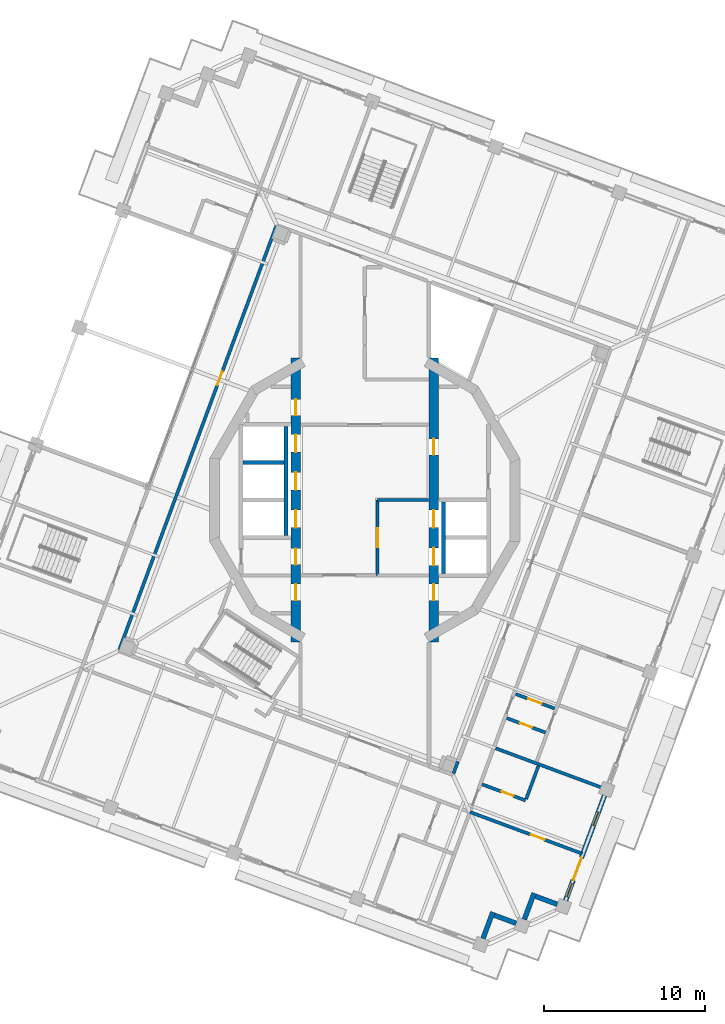
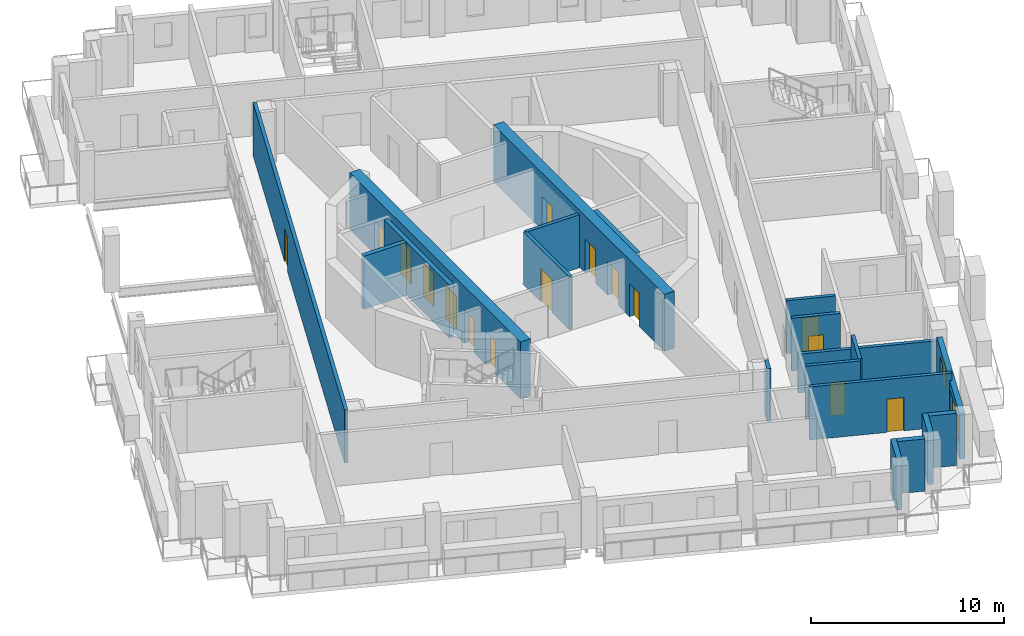
# One storey, part 9 of 20: 20 walls, 17 doors, 2 windows, 19 openings.
"""IFC4 building model written with IfcOpenShell, lengths in metres."""

from ifc_helpers import new_model, si_unit, direction, frame, frame_2d, origin, place, context, subcontext, project, spatial, rectangle, extrude, material, layer, layer_set, type_object, element, fill, save


model = new_model("IFC4")

# Units and contexts
model_context = context("Model", 3, precision=1e-05, world=origin(), true_north=direction((0.0, 1.0)))
body_context = subcontext(model_context, "Body", "Model", "MODEL_VIEW")
ifc_project = project(units=[si_unit("LENGTHUNIT", "METRE"), si_unit("AREAUNIT", "SQUARE_METRE"), si_unit("VOLUMEUNIT", "CUBIC_METRE"), si_unit("PLANEANGLEUNIT", "RADIAN"), si_unit("MASSUNIT", "GRAM", prefix="KILO")], contexts=[model_context])

# Site, building, storey
site_placement = place(None, origin())
site = spatial("IfcSite", under=ifc_project, at=site_placement, CompositionType="ELEMENT")
building_placement = place(site_placement, origin())
building = spatial("IfcBuilding", under=site, at=building_placement, Name="Cantera Rosa Tower", CompositionType="ELEMENT")
storey_placement = place(building_placement, frame((0.0, 0.0, 313.300048828125)))
storey = spatial("IfcBuildingStorey", under=building, at=storey_placement, Name="L69", CompositionType="ELEMENT", Elevation=313.300048828125)

# Wall, opening, door
ifc_material_1 = material(Name="Gypsum board partition")
ifc_layer_1 = layer(ifc_material_1, 0.199951171875)
ifc_layer_set_1 = layer_set([ifc_layer_1], Name="CORRIDOR WALL 200 H3350")
wall_type_1 = type_object("IfcWallType", Name="CORRIDOR WALL 200 H3350", PredefinedType="PARTITIONING", material=ifc_layer_set_1)
wall_1_placement = place(storey_placement, frame((-5.491455078125, 17.125244140625, 0.0), z_axis=(0.0, 0.0, 1.0), x_axis=(-0.347478457093, -0.937687966147, 0.0)))
wall_1 = element("IfcWall", 1, at=wall_1_placement, inside=storey, type_object=wall_type_1, Name="CORRIDOR WALL L69-041", PredefinedType="PARTITIONING", context=body_context, shape_type="SweptSolid", body=[
    extrude(rectangle(XDim=28.19970703125, YDim=0.199951171875, at=frame_2d((14.099853515625, 0.0))), origin(), (0.0, 0.0, 1.0), 3.349853515625),
])
opening_1_placement = place(wall_1_placement, frame((9.72509765625, 0.0, 0.0)))
opening_1 = element("IfcOpeningElement", 2, at=opening_1_placement, cuts=wall_1, Name="Opening L69-006", PredefinedType="OPENING", context=body_context, shape_type="SweptSolid", body=[
    extrude(rectangle(XDim=0.89990234375, YDim=2.10009765625, at=frame_2d((0.449951171875, 1.050048828125))), frame((0.0, 0.10986328125, 0.0), z_axis=(0.0, -1.0, 0.0), x_axis=(1.0, 0.0, 0.0)), (0.0, 0.0, 1.0), 0.219970703125),
])
ifc_material_2 = material(Name="Timber door leaf", Category="wood")
door_type_1 = type_object("IfcDoorType", Name="SERVICE DOOR 900x2100", OperationType="NOTDEFINED", PredefinedType="DOOR", material=ifc_material_2)
door_1_placement = place(opening_1_placement, origin())
door_1 = element("IfcDoor", 3, at=door_1_placement, inside=storey, type_object=door_type_1, Name="DOOR L69-006", OperationType="NOTDEFINED", OverallHeight=2.10009765625, OverallWidth=0.89990234375, PredefinedType="DOOR", context=body_context, shape_type="SweptSolid", body=[
    extrude(rectangle(XDim=0.89990234375, YDim=2.10009765625, at=frame_2d((0.449951171875, 1.050048828125))), frame((0.0, 0.02490234375, 0.0), z_axis=(0.0, -1.0, 0.0), x_axis=(1.0, 0.0, 0.0)), (0.0, 0.0, 1.0), 0.050048828125),
])
fill(opening_1, door_1)

# Walls
wall_2_placement = place(storey_placement, frame((5.526123046875, -17.031494140625, 0.0), z_axis=(0.0, 0.0, 1.0), x_axis=(0.34764237862, 0.93762720555, 0.0)))
element("IfcWall", 4, at=wall_2_placement, inside=storey, type_object=wall_type_1, Name="CORRIDOR WALL L69-075", PredefinedType="PARTITIONING", context=body_context, shape_type="SweptSolid", body=[
    extrude(rectangle(XDim=0.7998046875, YDim=0.199951171875, at=frame_2d((0.39990234375, 0.0))), origin(), (0.0, 0.0, 1.0), 3.349853515625),
])
ifc_material_3 = material(Name="Hollow clay masonry with cantera stone cladding", Category="masonry")
ifc_layer_2 = layer(ifc_material_3, 0.300048828125)
ifc_layer_set_2 = layer_set([ifc_layer_2], Name="EW-LOGGIA 300")
wall_type_2 = type_object("IfcWallType", Name="EW-LOGGIA 300", PredefinedType="SOLIDWALL", material=ifc_layer_set_2)
wall_3_placement = place(storey_placement, frame((7.36865234375, -27.312255859375, 0.0), z_axis=(0.0, 0.0, 1.0), x_axis=(0.34752790836, 0.937669639538, 0.0)))
element("IfcWall", 5, at=wall_3_placement, inside=storey, type_object=wall_type_2, Name="EN-L69-W18a", PredefinedType="SOLIDWALL", context=body_context, shape_type="SweptSolid", body=[
    extrude(rectangle(XDim=1.75, YDim=0.300048828125, at=frame_2d((0.875, 0.0))), origin(), (0.0, 0.0, 1.0), 3.300048828125),
])
wall_4_placement = place(storey_placement, frame((8.065185546875, -25.8642578125, 0.0), z_axis=(0.0, 0.0, 1.0), x_axis=(0.937671557958, -0.347522732201, 0.0)))
element("IfcWall", 6, at=wall_4_placement, inside=storey, type_object=wall_type_2, Name="EN-L69-W18b", PredefinedType="SOLIDWALL", context=body_context, shape_type="SweptSolid", body=[
    extrude(rectangle(XDim=1.449951171875, YDim=0.300048828125, at=frame_2d((0.72509765625, 0.0))), origin(), (0.0, 0.0, 1.0), 3.300048828125),
])
wall_5_placement = place(storey_placement, frame((9.93896484375, -26.132080078125, 0.0), z_axis=(0.0, 0.0, 1.0), x_axis=(0.34748245117, 0.937686486054, 0.0)))
element("IfcWall", 7, at=wall_5_placement, inside=storey, type_object=wall_type_2, Name="EN-L69-W19a", PredefinedType="SOLIDWALL", context=body_context, shape_type="SweptSolid", body=[
    extrude(rectangle(XDim=1.750244140625, YDim=0.300048828125, at=frame_2d((0.875, 0.0))), origin(), (0.0, 0.0, 1.0), 3.300048828125),
])
wall_6_placement = place(storey_placement, frame((10.635498046875, -24.683837890625, 0.0), z_axis=(0.0, 0.0, 1.0), x_axis=(0.937671557958, -0.347522732201, 0.0)))
element("IfcWall", 8, at=wall_6_placement, inside=storey, type_object=wall_type_2, Name="EN-L69-W19b", PredefinedType="SOLIDWALL", context=body_context, shape_type="SweptSolid", body=[
    extrude(rectangle(XDim=1.449951171875, YDim=0.300048828125, at=frame_2d((0.72509765625, 0.0))), origin(), (0.0, 0.0, 1.0), 3.300048828125),
])

# Wall, openings, windows, door
ifc_material_4 = material(Name="Hollow clay masonry with cantera stone cladding", Category="masonry")
ifc_layer_3 = layer(ifc_material_4, 0.300048828125)
ifc_layer_set_3 = layer_set([ifc_layer_3], Name="EW-LOGGIA 300 H2890")
wall_type_3 = type_object("IfcWallType", Name="EW-LOGGIA 300 H2890", PredefinedType="SOLIDWALL", material=ifc_layer_set_3)
wall_7_placement = place(storey_placement, frame((12.50927734375, -24.95166015625, 0.0), z_axis=(0.0, 0.0, 1.0), x_axis=(0.347490919506, 0.937683347864, 0.0)))
wall_7 = element("IfcWall", 9, at=wall_7_placement, inside=storey, type_object=wall_type_3, Name="EN-L69-W20", PredefinedType="SOLIDWALL", context=body_context, shape_type="SweptSolid", body=[
    extrude(rectangle(XDim=6.980224609375, YDim=0.300048828125, at=frame_2d((3.490234375, 0.0))), origin(), (0.0, 0.0, 1.0), 2.889892578125),
])
opening_2_placement = place(wall_7_placement, frame((0.2451171875, 0.0, 0.89990234375)))
opening_2 = element("IfcOpeningElement", 10, at=opening_2_placement, cuts=wall_7, Name="Opening L69-W34", PredefinedType="OPENING", context=body_context, shape_type="SweptSolid", body=[
    extrude(rectangle(XDim=0.89990234375, YDim=1.5, at=frame_2d((0.449951171875, 0.75))), frame((0.0, 0.159912109375, 0.0), z_axis=(0.0, -1.0, 0.0), x_axis=(1.0, 0.0, 0.0)), (0.0, 0.0, 1.0), 0.320068359375),
])
opening_3_placement = place(wall_7_placement, frame((1.344970703125, 0.0, 0.0)))
opening_3 = element("IfcOpeningElement", 11, at=opening_3_placement, cuts=wall_7, Name="Opening L69-TD35", PredefinedType="OPENING", context=body_context, shape_type="SweptSolid", body=[
    extrude(rectangle(XDim=1.5, YDim=2.39990234375, at=frame_2d((0.75, 1.199951171875))), frame((0.0, 0.159912109375, 0.0), z_axis=(0.0, -1.0, 0.0), x_axis=(1.0, 0.0, 0.0)), (0.0, 0.0, 1.0), 0.320068359375),
])
opening_4_placement = place(wall_7_placement, frame((4.985107421875, 0.0, 0.89990234375)))
opening_4 = element("IfcOpeningElement", 12, at=opening_4_placement, cuts=wall_7, Name="Opening L69-W36", PredefinedType="OPENING", context=body_context, shape_type="SweptSolid", body=[
    extrude(rectangle(XDim=0.89990234375, YDim=1.5, at=frame_2d((0.449951171875, 0.75))), frame((0.0, 0.159912109375, 0.0), z_axis=(0.0, -1.0, 0.0), x_axis=(1.0, 0.0, 0.0)), (0.0, 0.0, 1.0), 0.320068359375),
])
ifc_material_5 = material(Name="Aluminium frame with clear glass", Category="aluminium")
window_type = type_object("IfcWindowType", Name="Residential window 900x1500", PartitioningType="SINGLE_PANEL", PredefinedType="WINDOW", material=ifc_material_5)
window_1_placement = place(opening_2_placement, origin())
window_1 = element("IfcWindow", 13, at=window_1_placement, inside=storey, type_object=window_type, Name="WINDOW L69-W34", OverallHeight=1.5, OverallWidth=0.89990234375, PartitioningType="SINGLE_PANEL", PredefinedType="WINDOW", context=body_context, shape_type="SweptSolid", body=[
    extrude(rectangle(XDim=0.89990234375, YDim=1.5, at=frame_2d((0.449951171875, 0.75))), frame((0.0, 0.030029296875, 0.0), z_axis=(0.0, -1.0, 0.0), x_axis=(1.0, 0.0, 0.0)), (0.0, 0.0, 1.0), 0.06005859375),
])
fill(opening_2, window_1)
window_2_placement = place(opening_4_placement, origin())
window_2 = element("IfcWindow", 14, at=window_2_placement, inside=storey, type_object=window_type, Name="WINDOW L69-W36", OverallHeight=1.5, OverallWidth=0.89990234375, PartitioningType="SINGLE_PANEL", PredefinedType="WINDOW", context=body_context, shape_type="SweptSolid", body=[
    extrude(rectangle(XDim=0.89990234375, YDim=1.5, at=frame_2d((0.449951171875, 0.75))), frame((0.0, 0.030029296875, 0.0), z_axis=(0.0, -1.0, 0.0), x_axis=(1.0, 0.0, 0.0)), (0.0, 0.0, 1.0), 0.06005859375),
])
fill(opening_4, window_2)
ifc_material_6 = material(Name="Aluminium frame with clear glass", Category="aluminium")
door_type_2 = type_object("IfcDoorType", Name="TD-R 1500x2400", OperationType="NOTDEFINED", PredefinedType="DOOR", material=ifc_material_6)
door_2_placement = place(opening_3_placement, origin())
door_2 = element("IfcDoor", 15, at=door_2_placement, inside=storey, type_object=door_type_2, Name="LOGGIA DOOR L69-TD35", OperationType="SLIDING_TO_LEFT", OverallHeight=2.39990234375, OverallWidth=1.5, PredefinedType="DOOR", context=body_context, shape_type="SweptSolid", body=[
    extrude(rectangle(XDim=1.5, YDim=2.39990234375, at=frame_2d((0.75, 1.199951171875))), frame((0.0, 0.02490234375, 0.0), z_axis=(0.0, -1.0, 0.0), x_axis=(1.0, 0.0, 0.0)), (0.0, 0.0, 1.0), 0.050048828125),
])
fill(opening_3, door_2)

# Wall, opening, door
ifc_material_7 = material(Name="Gypsum board partition")
ifc_layer_4 = layer(ifc_material_7, 0.199951171875)
ifc_layer_set_4 = layer_set([ifc_layer_4], Name="PARTITION 200 H3350")
wall_type_4 = type_object("IfcWallType", Name="PARTITION 200 H3350", PredefinedType="PARTITIONING", material=ifc_layer_set_4)
wall_8_placement = place(storey_placement, frame((6.5537109375, -19.438720703125, 0.0), z_axis=(0.0, 0.0, 1.0), x_axis=(0.937698682222, -0.347449537859, 0.0)))
wall_8 = element("IfcWall", 16, at=wall_8_placement, inside=storey, type_object=wall_type_4, Name="PARTITION L69-080", PredefinedType="PARTITIONING", context=body_context, shape_type="SweptSolid", body=[
    extrude(rectangle(XDim=7.469970703125, YDim=0.199951171875, at=frame_2d((3.73486328125, 0.0))), origin(), (0.0, 0.0, 1.0), 3.349853515625),
])
opening_5_placement = place(wall_8_placement, frame((4.050048828125, 0.0, 0.0)))
opening_5 = element("IfcOpeningElement", 17, at=opening_5_placement, cuts=wall_8, Name="Opening L69-039", PredefinedType="OPENING", context=body_context, shape_type="SweptSolid", body=[
    extrude(rectangle(XDim=0.89990234375, YDim=2.10009765625, at=frame_2d((0.449951171875, 1.050048828125))), frame((0.0, 0.10986328125, 0.0), z_axis=(0.0, -1.0, 0.0), x_axis=(1.0, 0.0, 0.0)), (0.0, 0.0, 1.0), 0.219970703125),
])
ifc_material_8 = material(Name="Timber door leaf", Category="wood")
door_type_3 = type_object("IfcDoorType", Name="ROOM DOOR 900x2100", OperationType="NOTDEFINED", PredefinedType="DOOR", material=ifc_material_8)
door_3_placement = place(opening_5_placement, origin())
door_3 = element("IfcDoor", 18, at=door_3_placement, inside=storey, type_object=door_type_3, Name="DOOR L69-039", OperationType="NOTDEFINED", OverallHeight=2.10009765625, OverallWidth=0.89990234375, PredefinedType="DOOR", context=body_context, shape_type="SweptSolid", body=[
    extrude(rectangle(XDim=0.89990234375, YDim=2.10009765625, at=frame_2d((0.449951171875, 1.050048828125))), frame((0.0, 0.02490234375, 0.0), z_axis=(0.0, -1.0, 0.0), x_axis=(1.0, 0.0, 0.0)), (0.0, 0.0, 1.0), 0.050048828125),
])
fill(opening_5, door_3)

wall_9_placement = place(storey_placement, frame((8.848388671875, -13.591552734375, 0.0), z_axis=(0.0, 0.0, 1.0), x_axis=(0.937682025422, -0.347494488014, 0.0)))
wall_9 = element("IfcWall", 19, at=wall_9_placement, inside=storey, type_object=wall_type_4, Name="PARTITION L69-085", PredefinedType="PARTITIONING", context=body_context, shape_type="SweptSolid", body=[
    extrude(rectangle(XDim=2.56005859375, YDim=0.199951171875, at=frame_2d((1.280029296875, 0.0))), origin(), (0.0, 0.0, 1.0), 3.349853515625),
])
opening_6_placement = place(wall_9_placement, frame((0.8798828125, 0.0, 0.0)))
opening_6 = element("IfcOpeningElement", 20, at=opening_6_placement, cuts=wall_9, Name="Opening L69-032", PredefinedType="OPENING", context=body_context, shape_type="SweptSolid", body=[
    extrude(rectangle(XDim=0.800048828125, YDim=2.10009765625, at=frame_2d((0.39990234375, 1.050048828125))), frame((0.0, 0.10986328125, 0.0), z_axis=(0.0, -1.0, 0.0), x_axis=(1.0, 0.0, 0.0)), (0.0, 0.0, 1.0), 0.219970703125),
])
ifc_material_9 = material(Name="Timber door leaf", Category="wood")
door_type_4 = type_object("IfcDoorType", Name="BATHROOM DOOR 800x2100", OperationType="NOTDEFINED", PredefinedType="DOOR", material=ifc_material_9)
door_4_placement = place(opening_6_placement, origin())
door_4 = element("IfcDoor", 21, at=door_4_placement, inside=storey, type_object=door_type_4, Name="DOOR L69-032", OperationType="NOTDEFINED", OverallHeight=2.10009765625, OverallWidth=0.800048828125, PredefinedType="DOOR", context=body_context, shape_type="SweptSolid", body=[
    extrude(rectangle(XDim=0.800048828125, YDim=2.10009765625, at=frame_2d((0.39990234375, 1.050048828125))), frame((0.0, 0.02490234375, 0.0), z_axis=(0.0, -1.0, 0.0), x_axis=(1.0, 0.0, 0.0)), (0.0, 0.0, 1.0), 0.050048828125),
])
fill(opening_6, door_4)

wall_10_placement = place(storey_placement, frame((9.404541015625, -12.09130859375, 0.0), z_axis=(0.0, 0.0, 1.0), x_axis=(0.937687105286, -0.34748078016, 0.0)))
wall_10 = element("IfcWall", 22, at=wall_10_placement, inside=storey, type_object=wall_type_4, Name="PARTITION L69-086", PredefinedType="PARTITIONING", context=body_context, shape_type="SweptSolid", body=[
    extrude(rectangle(XDim=2.579833984375, YDim=0.199951171875, at=frame_2d((1.2900390625, 0.0))), origin(), (0.0, 0.0, 1.0), 3.349853515625),
])
opening_7_placement = place(wall_10_placement, frame((0.830078125, 0.0, 0.0)))
opening_7 = element("IfcOpeningElement", 23, at=opening_7_placement, cuts=wall_10, Name="Opening L69-033", PredefinedType="OPENING", context=body_context, shape_type="SweptSolid", body=[
    extrude(rectangle(XDim=0.89990234375, YDim=2.10009765625, at=frame_2d((0.449951171875, 1.050048828125))), frame((0.0, 0.10986328125, 0.0), z_axis=(0.0, -1.0, 0.0), x_axis=(1.0, 0.0, 0.0)), (0.0, 0.0, 1.0), 0.219970703125),
])
door_5_placement = place(opening_7_placement, origin())
door_5 = element("IfcDoor", 24, at=door_5_placement, inside=storey, type_object=door_type_3, Name="DOOR L69-033", OperationType="NOTDEFINED", OverallHeight=2.10009765625, OverallWidth=0.89990234375, PredefinedType="DOOR", context=body_context, shape_type="SweptSolid", body=[
    extrude(rectangle(XDim=0.89990234375, YDim=2.10009765625, at=frame_2d((0.449951171875, 1.050048828125))), frame((0.0, 0.02490234375, 0.0), z_axis=(0.0, -1.0, 0.0), x_axis=(1.0, 0.0, 0.0)), (0.0, 0.0, 1.0), 0.050048828125),
])
fill(opening_7, door_5)

wall_11_placement = place(storey_placement, frame((10.020263671875, -18.71826171875, 0.0), z_axis=(0.0, 0.0, 1.0), x_axis=(-0.937681724156, 0.347495300953, 0.0)))
wall_11 = element("IfcWall", 25, at=wall_11_placement, inside=storey, type_object=wall_type_4, Name="PARTITION L69-087", PredefinedType="PARTITIONING", context=body_context, shape_type="SweptSolid", body=[
    extrude(rectangle(XDim=2.900146484375, YDim=0.199951171875, at=frame_2d((1.4501953125, 0.0))), origin(), (0.0, 0.0, 1.0), 3.349853515625),
])
opening_8_placement = place(wall_11_placement, frame((0.800048828125, 0.0, 0.0)))
opening_8 = element("IfcOpeningElement", 26, at=opening_8_placement, cuts=wall_11, Name="Opening L69-038", PredefinedType="OPENING", context=body_context, shape_type="SweptSolid", body=[
    extrude(rectangle(XDim=0.800048828125, YDim=2.10009765625, at=frame_2d((0.39990234375, 1.050048828125))), frame((0.0, 0.10986328125, 0.0), z_axis=(0.0, -1.0, 0.0), x_axis=(1.0, 0.0, 0.0)), (0.0, 0.0, 1.0), 0.219970703125),
])
door_6_placement = place(opening_8_placement, origin())
door_6 = element("IfcDoor", 27, at=door_6_placement, inside=storey, type_object=door_type_4, Name="DOOR L69-038", OperationType="NOTDEFINED", OverallHeight=2.10009765625, OverallWidth=0.800048828125, PredefinedType="DOOR", context=body_context, shape_type="SweptSolid", body=[
    extrude(rectangle(XDim=0.800048828125, YDim=2.10009765625, at=frame_2d((0.39990234375, 1.050048828125))), frame((0.0, 0.02490234375, 0.0), z_axis=(0.0, -1.0, 0.0), x_axis=(1.0, 0.0, 0.0)), (0.0, 0.0, 1.0), 0.050048828125),
])
fill(opening_8, door_6)

# Walls
wall_12_placement = place(storey_placement, frame((10.8193359375, -16.5615234375, 0.0), z_axis=(0.0, 0.0, 1.0), x_axis=(-0.347448078893, -0.937699222818, 0.0)))
element("IfcWall", 28, at=wall_12_placement, inside=storey, type_object=wall_type_4, Name="PARTITION L69-089", PredefinedType="PARTITIONING", context=body_context, shape_type="SweptSolid", body=[
    extrude(rectangle(XDim=2.199951171875, YDim=0.199951171875, at=frame_2d((1.10009765625, 0.0))), origin(), (0.0, 0.0, 1.0), 3.349853515625),
])
ifc_material_10 = material(Name="Gypsum board partition")
ifc_layer_5 = layer(ifc_material_10, 0.199951171875)
ifc_layer_set_5 = layer_set([ifc_layer_5], Name="PARTY WALL 200 H2450")
wall_type_5 = type_object("IfcWallType", Name="PARTY WALL 200 H2450", PredefinedType="PARTITIONING", material=ifc_layer_set_5)
wall_13_placement = place(storey_placement, frame((15.045654296875, -18.02099609375, 0.0), z_axis=(0.0, 0.0, 1.0), x_axis=(-0.937689847803, 0.347473379308, 0.0)))
element("IfcWall", 29, at=wall_13_placement, inside=storey, type_object=wall_type_5, Name="PARTY WALL L69-098", PredefinedType="PARTITIONING", context=body_context, shape_type="SweptSolid", body=[
    extrude(rectangle(XDim=7.35009765625, YDim=0.199951171875, at=frame_2d((3.675048828125, 0.0))), origin(), (0.0, 0.0, 1.0), 2.449951171875),
])

# Wall, openings, doors
ifc_material_11 = material(Name="Concrete C50/60", Category="concrete")
ifc_layer_6 = layer(ifc_material_11, 0.60009765625)
ifc_layer_set_6 = layer_set([ifc_layer_6], Name="RC CORE WALL 600 C50/60")
wall_type_6 = type_object("IfcWallType", Name="RC CORE WALL 600 C50/60", PredefinedType="SHEAR", material=ifc_layer_set_6)
wall_14_placement = place(storey_placement, frame((-4.300048828125, 8.84423828125, 0.0), z_axis=(0.0, 0.0, 1.0), x_axis=(0.0, -1.0, 0.0)))
wall_14 = element("IfcWall", 30, at=wall_14_placement, inside=storey, type_object=wall_type_6, Name="CW-W6 L69", PredefinedType="SHEAR", context=body_context, shape_type="SweptSolid", body=[
    extrude(rectangle(XDim=17.6884765625, YDim=0.60009765625, at=frame_2d((8.84423828125, 0.0))), origin(), (0.0, 0.0, 1.0), 3.599853515625),
])
opening_9_placement = place(wall_14_placement, frame((9.468994140625, 0.0, 0.0)))
opening_9 = element("IfcOpeningElement", 31, at=opening_9_placement, cuts=wall_14, Name="Opening LD-H1-L69", PredefinedType="OPENING", context=body_context, shape_type="SweptSolid", body=[
    extrude(rectangle(XDim=1.10009765625, YDim=2.10009765625, at=frame_2d((0.550048828125, 1.050048828125))), frame((0.0, 0.31005859375, 0.0), z_axis=(0.0, -1.0, 0.0), x_axis=(1.0, 0.0, 0.0)), (0.0, 0.0, 1.0), 0.6201171875),
])
opening_10_placement = place(wall_14_placement, frame((7.119140625, 0.0, 0.0)))
opening_10 = element("IfcOpeningElement", 32, at=opening_10_placement, cuts=wall_14, Name="Opening LD-H2-L69", PredefinedType="OPENING", context=body_context, shape_type="SweptSolid", body=[
    extrude(rectangle(XDim=1.10009765625, YDim=2.10009765625, at=frame_2d((0.550048828125, 1.050048828125))), frame((0.0, 0.31005859375, 0.0), z_axis=(0.0, -1.0, 0.0), x_axis=(1.0, 0.0, 0.0)), (0.0, 0.0, 1.0), 0.6201171875),
])
opening_11_placement = place(wall_14_placement, frame((4.76904296875, 0.0, 0.0)))
opening_11 = element("IfcOpeningElement", 33, at=opening_11_placement, cuts=wall_14, Name="Opening LD-H3-L69", PredefinedType="OPENING", context=body_context, shape_type="SweptSolid", body=[
    extrude(rectangle(XDim=1.10009765625, YDim=2.10009765625, at=frame_2d((0.550048828125, 1.050048828125))), frame((0.0, 0.31005859375, 0.0), z_axis=(0.0, -1.0, 0.0), x_axis=(1.0, 0.0, 0.0)), (0.0, 0.0, 1.0), 0.6201171875),
])
opening_12_placement = place(wall_14_placement, frame((14.091552734375, 0.0, 0.0)))
opening_12 = element("IfcOpeningElement", 34, at=opening_12_placement, cuts=wall_14, Name="Opening SD-L69-15", PredefinedType="OPENING", context=body_context, shape_type="SweptSolid", body=[
    extrude(rectangle(XDim=1.0, YDim=2.10009765625, at=frame_2d((0.5, 1.050048828125))), frame((0.0, 0.31005859375, 0.0), z_axis=(0.0, -1.0, 0.0), x_axis=(1.0, 0.0, 0.0)), (0.0, 0.0, 1.0), 0.6201171875),
])
opening_13_placement = place(wall_14_placement, frame((2.572265625, 0.0, 0.0)))
opening_13 = element("IfcOpeningElement", 35, at=opening_13_placement, cuts=wall_14, Name="Opening SD-L69-16", PredefinedType="OPENING", context=body_context, shape_type="SweptSolid", body=[
    extrude(rectangle(XDim=1.0, YDim=2.10009765625, at=frame_2d((0.5, 1.050048828125))), frame((0.0, 0.31005859375, 0.0), z_axis=(0.0, -1.0, 0.0), x_axis=(1.0, 0.0, 0.0)), (0.0, 0.0, 1.0), 0.6201171875),
])
opening_14_placement = place(wall_14_placement, frame((11.869140625, 0.0, 0.0)))
opening_14 = element("IfcOpeningElement", 36, at=opening_14_placement, cuts=wall_14, Name="Opening SD-L69-17", PredefinedType="OPENING", context=body_context, shape_type="SweptSolid", body=[
    extrude(rectangle(XDim=1.0, YDim=2.10009765625, at=frame_2d((0.5, 1.050048828125))), frame((0.0, 0.31005859375, 0.0), z_axis=(0.0, -1.0, 0.0), x_axis=(1.0, 0.0, 0.0)), (0.0, 0.0, 1.0), 0.6201171875),
])
ifc_material_12 = material(Name="Steel S355J2 (EN 10025-2)", Category="steel")
door_type_5 = type_object("IfcDoorType", Name="LANDING DOOR 1100x2100", OperationType="NOTDEFINED", PredefinedType="DOOR", material=ifc_material_12)
door_7_placement = place(opening_9_placement, origin())
door_7 = element("IfcDoor", 37, at=door_7_placement, inside=storey, type_object=door_type_5, Name="LANDING DOOR H1 L69", OperationType="SLIDING_TO_LEFT", OverallHeight=2.10009765625, OverallWidth=1.10009765625, PredefinedType="DOOR", context=body_context, shape_type="SweptSolid", body=[
    extrude(rectangle(XDim=1.10009765625, YDim=2.10009765625, at=frame_2d((0.550048828125, 1.050048828125))), frame((0.0, 0.02490234375, 0.0), z_axis=(0.0, -1.0, 0.0), x_axis=(1.0, 0.0, 0.0)), (0.0, 0.0, 1.0), 0.050048828125),
])
fill(opening_9, door_7)
door_8_placement = place(opening_10_placement, origin())
door_8 = element("IfcDoor", 38, at=door_8_placement, inside=storey, type_object=door_type_5, Name="LANDING DOOR H2 L69", OperationType="SLIDING_TO_LEFT", OverallHeight=2.10009765625, OverallWidth=1.10009765625, PredefinedType="DOOR", context=body_context, shape_type="SweptSolid", body=[
    extrude(rectangle(XDim=1.10009765625, YDim=2.10009765625, at=frame_2d((0.550048828125, 1.050048828125))), frame((0.0, 0.02490234375, 0.0), z_axis=(0.0, -1.0, 0.0), x_axis=(1.0, 0.0, 0.0)), (0.0, 0.0, 1.0), 0.050048828125),
])
fill(opening_10, door_8)
door_9_placement = place(opening_11_placement, origin())
door_9 = element("IfcDoor", 39, at=door_9_placement, inside=storey, type_object=door_type_5, Name="LANDING DOOR H3 L69", OperationType="SLIDING_TO_LEFT", OverallHeight=2.10009765625, OverallWidth=1.10009765625, PredefinedType="DOOR", context=body_context, shape_type="SweptSolid", body=[
    extrude(rectangle(XDim=1.10009765625, YDim=2.10009765625, at=frame_2d((0.550048828125, 1.050048828125))), frame((0.0, 0.02490234375, 0.0), z_axis=(0.0, -1.0, 0.0), x_axis=(1.0, 0.0, 0.0)), (0.0, 0.0, 1.0), 0.050048828125),
])
fill(opening_11, door_9)
ifc_material_13 = material(Name="Timber door leaf", Category="wood")
door_type_6 = type_object("IfcDoorType", Name="SERVICE DOOR 1000x2100", OperationType="NOTDEFINED", PredefinedType="DOOR", material=ifc_material_13)
door_10_placement = place(opening_12_placement, origin())
door_10 = element("IfcDoor", 40, at=door_10_placement, inside=storey, type_object=door_type_6, Name="DOOR L69-SD15", OperationType="NOTDEFINED", OverallHeight=2.10009765625, OverallWidth=1.0, PredefinedType="DOOR", context=body_context, shape_type="SweptSolid", body=[
    extrude(rectangle(XDim=1.0, YDim=2.10009765625, at=frame_2d((0.5, 1.050048828125))), frame((0.0, 0.02490234375, 0.0), z_axis=(0.0, -1.0, 0.0), x_axis=(1.0, 0.0, 0.0)), (0.0, 0.0, 1.0), 0.050048828125),
])
fill(opening_12, door_10)
door_11_placement = place(opening_13_placement, origin())
door_11 = element("IfcDoor", 41, at=door_11_placement, inside=storey, type_object=door_type_6, Name="DOOR L69-SD16", OperationType="NOTDEFINED", OverallHeight=2.10009765625, OverallWidth=1.0, PredefinedType="DOOR", context=body_context, shape_type="SweptSolid", body=[
    extrude(rectangle(XDim=1.0, YDim=2.10009765625, at=frame_2d((0.5, 1.050048828125))), frame((0.0, 0.02490234375, 0.0), z_axis=(0.0, -1.0, 0.0), x_axis=(1.0, 0.0, 0.0)), (0.0, 0.0, 1.0), 0.050048828125),
])
fill(opening_13, door_11)
door_12_placement = place(opening_14_placement, origin())
door_12 = element("IfcDoor", 42, at=door_12_placement, inside=storey, type_object=door_type_6, Name="DOOR L69-SD17", OperationType="NOTDEFINED", OverallHeight=2.10009765625, OverallWidth=1.0, PredefinedType="DOOR", context=body_context, shape_type="SweptSolid", body=[
    extrude(rectangle(XDim=1.0, YDim=2.10009765625, at=frame_2d((0.5, 1.050048828125))), frame((0.0, 0.02490234375, 0.0), z_axis=(0.0, -1.0, 0.0), x_axis=(1.0, 0.0, 0.0)), (0.0, 0.0, 1.0), 0.050048828125),
])
fill(opening_14, door_12)

wall_15_placement = place(storey_placement, frame((4.300048828125, -8.84423828125, 0.0), z_axis=(0.0, 0.0, 1.0), x_axis=(0.0, 1.0, 0.0)))
wall_15 = element("IfcWall", 43, at=wall_15_placement, inside=storey, type_object=wall_type_6, Name="CW-E6 L69", PredefinedType="SHEAR", context=body_context, shape_type="SweptSolid", body=[
    extrude(rectangle(XDim=17.6884765625, YDim=0.60009765625, at=frame_2d((8.84423828125, 0.0))), origin(), (0.0, 0.0, 1.0), 3.599853515625),
])
opening_15_placement = place(wall_15_placement, frame((4.76904296875, 0.0, 0.0)))
opening_15 = element("IfcOpeningElement", 44, at=opening_15_placement, cuts=wall_15, Name="Opening LD-FF1-L69", PredefinedType="OPENING", context=body_context, shape_type="SweptSolid", body=[
    extrude(rectangle(XDim=1.10009765625, YDim=2.10009765625, at=frame_2d((0.550048828125, 1.050048828125))), frame((0.0, 0.31005859375, 0.0), z_axis=(0.0, -1.0, 0.0), x_axis=(1.0, 0.0, 0.0)), (0.0, 0.0, 1.0), 0.6201171875),
])
opening_16_placement = place(wall_15_placement, frame((7.119140625, 0.0, 0.0)))
opening_16 = element("IfcOpeningElement", 45, at=opening_16_placement, cuts=wall_15, Name="Opening LD-FF2-L69", PredefinedType="OPENING", context=body_context, shape_type="SweptSolid", body=[
    extrude(rectangle(XDim=1.10009765625, YDim=2.10009765625, at=frame_2d((0.550048828125, 1.050048828125))), frame((0.0, 0.31005859375, 0.0), z_axis=(0.0, -1.0, 0.0), x_axis=(1.0, 0.0, 0.0)), (0.0, 0.0, 1.0), 0.6201171875),
])
opening_17_placement = place(wall_15_placement, frame((2.5966796875, 0.0, 0.0)))
opening_17 = element("IfcOpeningElement", 46, at=opening_17_placement, cuts=wall_15, Name="Opening SD-L69-18", PredefinedType="OPENING", context=body_context, shape_type="SweptSolid", body=[
    extrude(rectangle(XDim=1.0, YDim=2.10009765625, at=frame_2d((0.5, 1.050048828125))), frame((0.0, 0.31005859375, 0.0), z_axis=(0.0, -1.0, 0.0), x_axis=(1.0, 0.0, 0.0)), (0.0, 0.0, 1.0), 0.6201171875),
])
opening_18_placement = place(wall_15_placement, frame((11.6494140625, 0.0, 0.0)))
opening_18 = element("IfcOpeningElement", 47, at=opening_18_placement, cuts=wall_15, Name="Opening SD-L69-19", PredefinedType="OPENING", context=body_context, shape_type="SweptSolid", body=[
    extrude(rectangle(XDim=1.0, YDim=2.10009765625, at=frame_2d((0.5, 1.050048828125))), frame((0.0, 0.31005859375, 0.0), z_axis=(0.0, -1.0, 0.0), x_axis=(1.0, 0.0, 0.0)), (0.0, 0.0, 1.0), 0.6201171875),
])
door_13_placement = place(opening_15_placement, origin())
door_13 = element("IfcDoor", 48, at=door_13_placement, inside=storey, type_object=door_type_5, Name="LANDING DOOR FF1 L69", OperationType="SLIDING_TO_LEFT", OverallHeight=2.10009765625, OverallWidth=1.10009765625, PredefinedType="DOOR", context=body_context, shape_type="SweptSolid", body=[
    extrude(rectangle(XDim=1.10009765625, YDim=2.10009765625, at=frame_2d((0.550048828125, 1.050048828125))), frame((0.0, 0.02490234375, 0.0), z_axis=(0.0, -1.0, 0.0), x_axis=(1.0, 0.0, 0.0)), (0.0, 0.0, 1.0), 0.050048828125),
])
fill(opening_15, door_13)
door_14_placement = place(opening_16_placement, origin())
door_14 = element("IfcDoor", 49, at=door_14_placement, inside=storey, type_object=door_type_5, Name="LANDING DOOR FF2 L69", OperationType="SLIDING_TO_LEFT", OverallHeight=2.10009765625, OverallWidth=1.10009765625, PredefinedType="DOOR", context=body_context, shape_type="SweptSolid", body=[
    extrude(rectangle(XDim=1.10009765625, YDim=2.10009765625, at=frame_2d((0.550048828125, 1.050048828125))), frame((0.0, 0.02490234375, 0.0), z_axis=(0.0, -1.0, 0.0), x_axis=(1.0, 0.0, 0.0)), (0.0, 0.0, 1.0), 0.050048828125),
])
fill(opening_16, door_14)
door_15_placement = place(opening_17_placement, origin())
door_15 = element("IfcDoor", 50, at=door_15_placement, inside=storey, type_object=door_type_6, Name="DOOR L69-SD18", OperationType="NOTDEFINED", OverallHeight=2.10009765625, OverallWidth=1.0, PredefinedType="DOOR", context=body_context, shape_type="SweptSolid", body=[
    extrude(rectangle(XDim=1.0, YDim=2.10009765625, at=frame_2d((0.5, 1.050048828125))), frame((0.0, 0.02490234375, 0.0), z_axis=(0.0, -1.0, 0.0), x_axis=(1.0, 0.0, 0.0)), (0.0, 0.0, 1.0), 0.050048828125),
])
fill(opening_17, door_15)
door_16_placement = place(opening_18_placement, origin())
door_16 = element("IfcDoor", 51, at=door_16_placement, inside=storey, type_object=door_type_6, Name="DOOR L69-SD19", OperationType="NOTDEFINED", OverallHeight=2.10009765625, OverallWidth=1.0, PredefinedType="DOOR", context=body_context, shape_type="SweptSolid", body=[
    extrude(rectangle(XDim=1.0, YDim=2.10009765625, at=frame_2d((0.5, 1.050048828125))), frame((0.0, 0.02490234375, 0.0), z_axis=(0.0, -1.0, 0.0), x_axis=(1.0, 0.0, 0.0)), (0.0, 0.0, 1.0), 0.050048828125),
])
fill(opening_18, door_16)

# Walls
ifc_material_14 = material(Name="Masonry blockwork", Category="masonry")
ifc_layer_7 = layer(ifc_material_14, 0.25)
ifc_layer_set_7 = layer_set([ifc_layer_7], Name="SHAFT WALL 250 H3350")
wall_type_7 = type_object("IfcWallType", Name="SHAFT WALL 250 H3350", PredefinedType="SOLIDWALL", material=ifc_layer_set_7)
wall_16_placement = place(storey_placement, frame((-7.574951171875, 2.35009765625, 0.0), z_axis=(0.0, 0.0, 1.0), x_axis=(1.0, 0.0, 0.0)))
element("IfcWall", 52, at=wall_16_placement, inside=storey, type_object=wall_type_7, Name="SHAFT WALL L69-024", PredefinedType="SOLIDWALL", context=body_context, shape_type="SweptSolid", body=[
    extrude(rectangle(XDim=2.554931640625, YDim=0.25, at=frame_2d((1.27734375, 0.0))), origin(), (0.0, 0.0, 1.0), 3.349853515625),
])
wall_17_placement = place(storey_placement, frame((-4.89990234375, -2.22509765625, 0.0), z_axis=(0.0, 0.0, 1.0), x_axis=(0.0, 1.0, 0.0)))
element("IfcWall", 53, at=wall_17_placement, inside=storey, type_object=wall_type_7, Name="SHAFT WALL L69-043", PredefinedType="SOLIDWALL", context=body_context, shape_type="SweptSolid", body=[
    extrude(rectangle(XDim=6.800048828125, YDim=0.25, at=frame_2d((3.39990234375, 0.0))), origin(), (0.0, 0.0, 1.0), 3.349853515625),
])
wall_18_placement = place(storey_placement, frame((4.89990234375, -0.125, 0.0), z_axis=(0.0, 0.0, 1.0), x_axis=(0.0, -1.0, 0.0)))
element("IfcWall", 54, at=wall_18_placement, inside=storey, type_object=wall_type_7, Name="SHAFT WALL L69-073", PredefinedType="SOLIDWALL", context=body_context, shape_type="SweptSolid", body=[
    extrude(rectangle(XDim=4.449951171875, YDim=0.25, at=frame_2d((2.22509765625, 0.0))), origin(), (0.0, 0.0, 1.0), 3.349853515625),
])

# Wall, opening, door
ifc_material_15 = material(Name="Concrete C50/60", Category="concrete")
ifc_layer_8 = layer(ifc_material_15, 0.199951171875)
ifc_layer_set_8 = layer_set([ifc_layer_8], Name="STAIR WALL 200 H3350")
wall_type_8 = type_object("IfcWallType", Name="STAIR WALL 200 H3350", PredefinedType="SOLIDWALL", material=ifc_layer_set_8)
wall_19_placement = place(storey_placement, frame((0.800048828125, -4.699951171875, 0.0), z_axis=(0.0, 0.0, 1.0), x_axis=(0.0, 1.0, 0.0)))
wall_19 = element("IfcWall", 55, at=wall_19_placement, inside=storey, type_object=wall_type_8, Name="STAIR WALL L69-058", PredefinedType="SOLIDWALL", context=body_context, shape_type="SweptSolid", body=[
    extrude(rectangle(XDim=4.699951171875, YDim=0.199951171875, at=frame_2d((2.35009765625, 0.0))), origin(), (0.0, 0.0, 1.0), 3.349853515625),
])
opening_19_placement = place(wall_19_placement, frame((1.75, 0.0, 0.0)))
opening_19 = element("IfcOpeningElement", 56, at=opening_19_placement, cuts=wall_19, Name="Opening L69-013", PredefinedType="OPENING", context=body_context, shape_type="SweptSolid", body=[
    extrude(rectangle(XDim=1.199951171875, YDim=2.10009765625, at=frame_2d((0.60009765625, 1.050048828125))), frame((0.0, 0.10986328125, 0.0), z_axis=(0.0, -1.0, 0.0), x_axis=(1.0, 0.0, 0.0)), (0.0, 0.0, 1.0), 0.219970703125),
])
ifc_material_16 = material(Name="Steel S355J2 (EN 10025-2)", Category="steel")
door_type_7 = type_object("IfcDoorType", Name="FIRE DOOR 1200x2100", OperationType="NOTDEFINED", PredefinedType="DOOR", material=ifc_material_16)
door_17_placement = place(opening_19_placement, origin())
door_17 = element("IfcDoor", 57, at=door_17_placement, inside=storey, type_object=door_type_7, Name="DOOR L69-013", OperationType="NOTDEFINED", OverallHeight=2.10009765625, OverallWidth=1.199951171875, PredefinedType="DOOR", context=body_context, shape_type="SweptSolid", body=[
    extrude(rectangle(XDim=1.199951171875, YDim=2.10009765625, at=frame_2d((0.60009765625, 1.050048828125))), frame((0.0, 0.02490234375, 0.0), z_axis=(0.0, -1.0, 0.0), x_axis=(1.0, 0.0, 0.0)), (0.0, 0.0, 1.0), 0.050048828125),
])
fill(opening_19, door_17)

# Wall
wall_20_placement = place(storey_placement, frame((0.800048828125, 0.0, 0.0), z_axis=(0.0, 0.0, 1.0), x_axis=(1.0, 0.0, 0.0)))
element("IfcWall", 58, at=wall_20_placement, inside=storey, type_object=wall_type_8, Name="STAIR WALL L69-059", PredefinedType="SOLIDWALL", context=body_context, shape_type="SweptSolid", body=[
    extrude(rectangle(XDim=3.169921875, YDim=0.199951171875, at=frame_2d((1.5849609375, 0.0))), origin(), (0.0, 0.0, 1.0), 3.349853515625),
])

save(model, "model.ifc")
